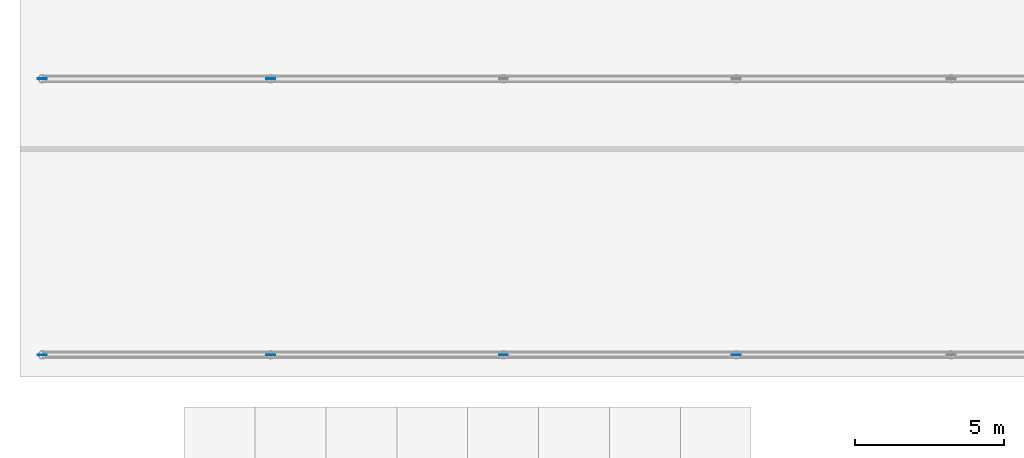
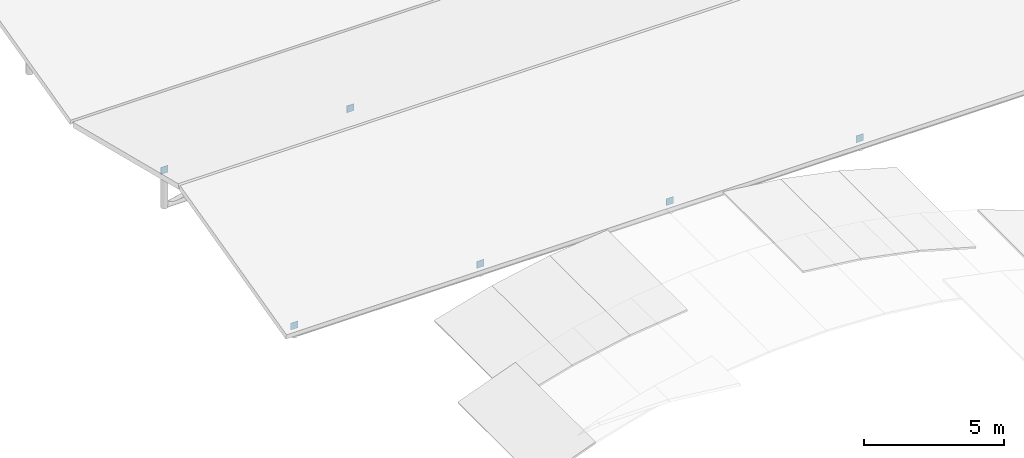
# One storey, part 71 of 91: 6 plates.
"""IFC4 building model written with IfcOpenShell, lengths in metres."""

from ifc_helpers import new_model, si_unit, direction, frame, origin, origin_2d, place, context, subcontext, project, spatial, rectangle, extrude, material, layer, layer_set, type_object, element, save


model = new_model("IFC4")

# Units and contexts
model_context = context("Model", 3, precision=1e-05, world=origin(), true_north=direction((0.0, 1.0)))
body_context = subcontext(model_context, "Body", "Model", "MODEL_VIEW")
ifc_project = project(units=[si_unit("LENGTHUNIT", "METRE"), si_unit("AREAUNIT", "SQUARE_METRE"), si_unit("VOLUMEUNIT", "CUBIC_METRE"), si_unit("PLANEANGLEUNIT", "RADIAN"), si_unit("MASSUNIT", "GRAM", prefix="KILO")], contexts=[model_context])

# Site, building, storey
site_placement = place(None, origin())
site = spatial("IfcSite", under=ifc_project, at=site_placement, CompositionType="ELEMENT")
building_placement = place(site_placement, origin())
building = spatial("IfcBuilding", under=site, at=building_placement, Name="Valcora Specialist Clinic", CompositionType="ELEMENT")
storey_placement = place(building_placement, frame((0.0, 0.0, 13.60009765625)))
storey = spatial("IfcBuildingStorey", under=building, at=storey_placement, Name="L03", CompositionType="ELEMENT", Elevation=13.60009765625)

# Plates
ifc_material = material(Name="Steel ASTM A572 Grade 50", Category="steel")
ifc_layer = layer(ifc_material, 0.02001953125)
ifc_layer_set = layer_set([ifc_layer], Name="Steel ASTM A572 Grade 50")
plate_type = type_object("IfcPlateType", Name="TY-PL-EC273", PredefinedType="USERDEFINED", material=ifc_layer_set)
for number, where, z_axis, x_axis, name in (
    (1, (0.75, 80.949951171875, 0.3017578125), (0.0, 0.0, 1.0), (1.0, 0.0, 0.0), "Stub post end-cap plate COL-RFV2-7-809"),
    (2, (8.39990234375, 80.949951171875, 0.3017578125), (0.0, 0.0, 1.0), (1.0, 0.0, 0.0), "Stub post end-cap plate COL-RFV2-84-809"),
    (3, (16.199951171875, 80.949951171875, 0.3017578125), (0.0, 0.0, 1.0), (1.0, 0.0, 0.0), "Stub post end-cap plate COL-RFV2-162-809"),
    (4, (24.0, 80.949951171875, 0.3017578125), (0.0, 0.0, 1.0), (1.0, 0.0, 0.0), "Stub post end-cap plate COL-RFV2-240-809"),
    (5, (0.75, 90.199951171875, 1.458984375), (0.0, 0.0, 1.0), (1.0, 0.0, 0.0), "Stub post end-cap plate COL-RFV2-7-902"),
    (6, (8.39990234375, 90.199951171875, 1.458984375), (0.0, 0.0, 1.0), (1.0, 0.0, 0.0), "Stub post end-cap plate COL-RFV2-84-902"),
):
    element("IfcPlate", number, at=place(storey_placement, frame(where, z_axis=z_axis, x_axis=x_axis)), inside=storey, type_object=plate_type, Name=name, ObjectType="FLANGE_PLATE", PredefinedType="USERDEFINED", context=body_context, shape_type="SweptSolid", body=[
        extrude(rectangle(XDim=0.300048828125, YDim=0.02001953125, at=origin_2d()), origin(), (0.0, 0.0, 1.0), 0.300048828125),
    ])

save(model, "model.ifc")
